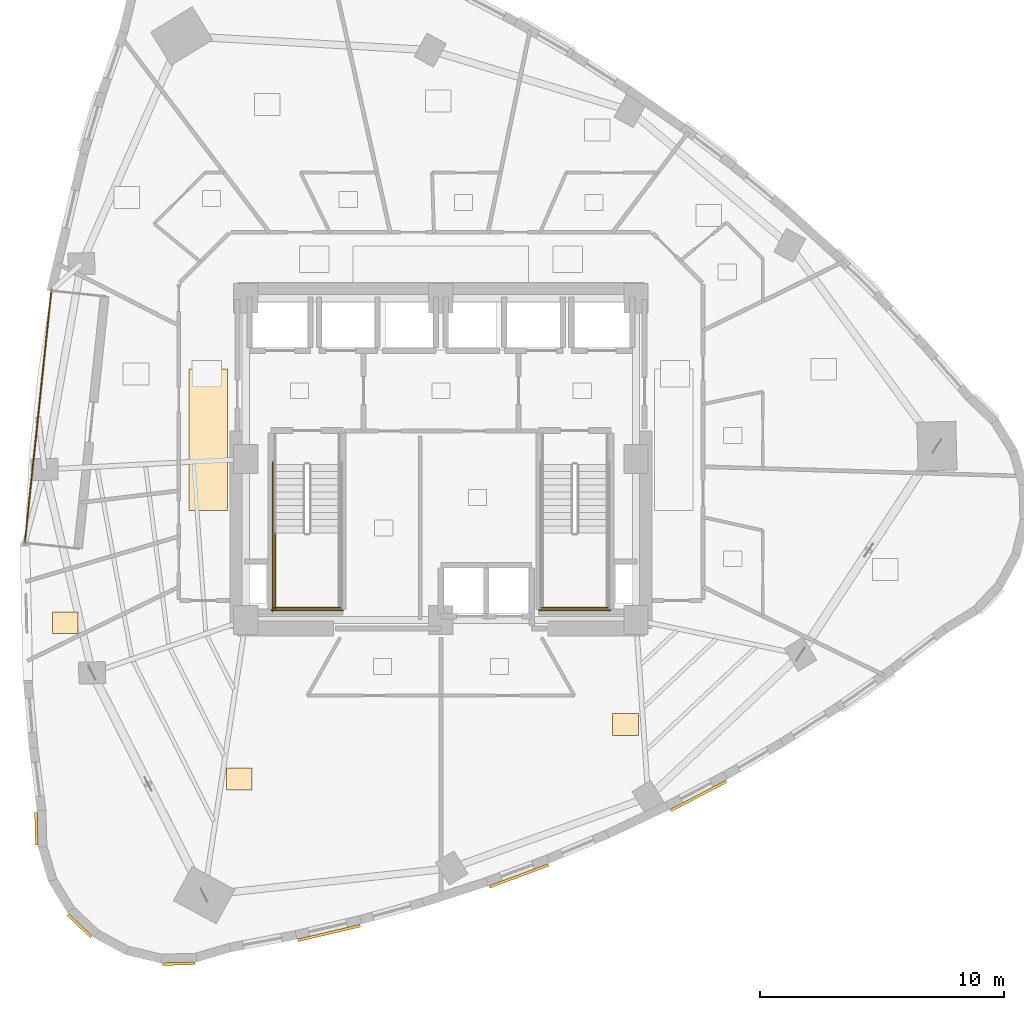
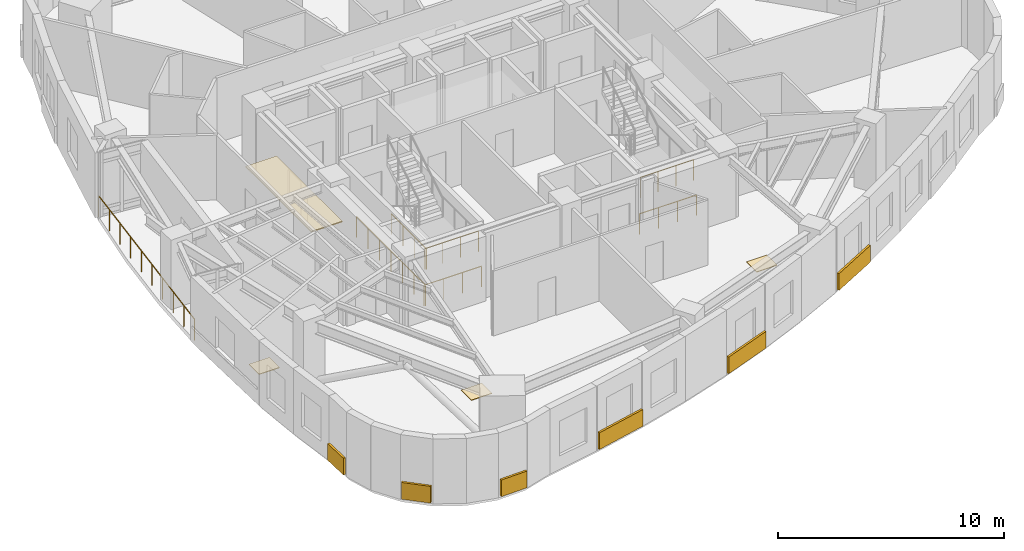
# One storey, part 10 of 12: 10 coverings, 7 railings.
"""IFC4 building model written with IfcOpenShell, lengths in metres."""

from ifc_helpers import new_model, si_unit, direction, frame, origin, origin_2d, place, context, subcontext, project, spatial, rectangle, circle, extrude, material, layer, layer_set, type_object, element, save


model = new_model("IFC4")

# Units and contexts
model_context = context("Model", 3, precision=1e-05, world=origin(), true_north=direction((0.0, 1.0)))
body_context = subcontext(model_context, "Body", "Model", "MODEL_VIEW")
ifc_project = project(units=[si_unit("LENGTHUNIT", "METRE"), si_unit("AREAUNIT", "SQUARE_METRE"), si_unit("VOLUMEUNIT", "CUBIC_METRE"), si_unit("PLANEANGLEUNIT", "RADIAN"), si_unit("MASSUNIT", "GRAM", prefix="KILO")], contexts=[model_context])

# Site, building, storey
site_placement = place(None, origin())
site = spatial("IfcSite", under=ifc_project, at=site_placement, CompositionType="ELEMENT")
building_placement = place(site_placement, origin())
building = spatial("IfcBuilding", under=site, at=building_placement, Name="Ndelora Gate Hotel", CompositionType="ELEMENT")
storey_placement = place(building_placement, frame((0.0, 0.0, 104.75)))
storey = spatial("IfcBuildingStorey", under=building, at=storey_placement, Name="L25", CompositionType="ELEMENT", Elevation=104.75)

# Coverings
ifc_material_1 = material(Name="Perforated Acoustic Gypsum Board", Category="gypsum")
ifc_layer_1 = layer(ifc_material_1, 0.054931640625)
ifc_layer_set_1 = layer_set([ifc_layer_1], Name="Perforated Acoustic Gypsum Board")
covering_type_1 = type_object("IfcCoveringType", Name="COV-CEIL-AC60", PredefinedType="CEILING", material=ifc_layer_set_1)
covering_1_placement = place(storey_placement, frame((-9.550048828125, 0.800048828125, 2.65234375), z_axis=(0.0, 0.0, 1.0), x_axis=(1.0, 0.0, 0.0)))
element("IfcCovering", 1, at=covering_1_placement, inside=storey, type_object=covering_type_1, Name="L25 Guest Corridor Acoustic Ceiling W", PredefinedType="CEILING", context=body_context, shape_type="SweptSolid", body=[
    extrude(rectangle(XDim=1.580078125, YDim=5.800048828125, at=origin_2d()), origin(), (0.0, 0.0, 1.0), 0.054931640625),
])
ifc_material_2 = material(Name="Terracotta Fired Clay Brick Slip Cladding", Category="masonry")
ifc_layer_2 = layer(ifc_material_2, 0.110107421875)
ifc_layer_set_2 = layer_set([ifc_layer_2], Name="Terracotta Fired Clay Brick Slip Cladding")
covering_type_2 = type_object("IfcCoveringType", Name="COV-CLAD-BRK", PredefinedType="CLADDING", material=ifc_layer_set_2)
for number, where, z_axis, x_axis, name in (
    (2, (-16.593994140625, -15.164306640625, 0.10009765625), (0.0, 0.0, 1.0), (-0.026176948308, 0.999657324976, 0.0), "L25 Rounded-Corner Brick Cladding Band 19"),
    (3, (-14.82373046875, -19.140380859375, 0.10009765625), (0.0, 0.0, 1.0), (-0.725374371012, 0.688354575694, 0.0), "L25 Rounded-Corner Brick Cladding Band 22"),
    (4, (-10.7607421875, -20.7001953125, 0.10009765625), (0.0, 0.0, 1.0), (0.999657324976, 0.026176948308, 0.0), "L25 Rounded-Corner Brick Cladding Band 25"),
):
    element("IfcCovering", number, at=place(storey_placement, frame(where, z_axis=z_axis, x_axis=x_axis)), inside=storey, type_object=covering_type_2, Name=name, PredefinedType="CLADDING", context=body_context, shape_type="SweptSolid", body=[
        extrude(rectangle(XDim=1.3359375, YDim=0.110107421875, at=origin_2d()), origin(), (0.0, 0.0, 1.0), 0.89990234375),
    ])
covering_2_placement = place(storey_placement, frame((-4.589111328125, -19.439453125, 0.10009765625), z_axis=(0.0, 0.0, 1.0), x_axis=(0.973698333648, 0.227841074111, 0.0)))
element("IfcCovering", 5, at=covering_2_placement, inside=storey, type_object=covering_type_2, Name="L25 Rounded-Corner Brick Cladding Band 28", PredefinedType="CLADDING", context=body_context, shape_type="SweptSolid", body=[
    extrude(rectangle(XDim=2.6279296875, YDim=0.110107421875, at=origin_2d()), origin(), (0.0, 0.0, 1.0), 0.89990234375),
])
for number, where, z_axis, x_axis, name in (
    (6, (3.19775390625, -17.098388671875, 0.10009765625), (0.0, 0.0, 1.0), (0.937585819058, 0.347753981862, 0.0), "L25 Rounded-Corner Brick Cladding Band 31"),
    (7, (10.56689453125, -13.8173828125, 0.10009765625), (0.0, 0.0, 1.0), (0.88579893978, 0.464069217127, 0.0), "L25 Rounded-Corner Brick Cladding Band 34"),
):
    element("IfcCovering", number, at=place(storey_placement, frame(where, z_axis=z_axis, x_axis=x_axis)), inside=storey, type_object=covering_type_2, Name=name, PredefinedType="CLADDING", context=body_context, shape_type="SweptSolid", body=[
        extrude(rectangle(XDim=2.583984375, YDim=0.110107421875, at=origin_2d()), origin(), (0.0, 0.0, 1.0), 0.89990234375),
    ])
ifc_material_3 = material(Name="Engineered Highland Oak Parquet", Category="wood")
ifc_layer_3 = layer(ifc_material_3, 0.030029296875)
ifc_layer_set_3 = layer_set([ifc_layer_3], Name="Engineered Highland Oak Parquet")
covering_type_3 = type_object("IfcCoveringType", Name="COV-FLR-PARQ", PredefinedType="FLOORING", material=ifc_layer_set_3)
for number, where, z_axis, x_axis, name in (
    (8, (-8.272705078125, -13.125732421875, 0.0), (0.0, 0.0, 1.0), (1.0, 0.0, 0.0), "L25 Club King Corner Suite 2801 Oak Parquet Flooring"),
    (9, (7.570068359375, -10.87744140625, 0.0), (0.0, 0.0, 1.0), (1.0, 0.0, 0.0), "L25 Club Twin Corner Suite 2802 Oak Parquet Flooring"),
    (10, (-15.40478515625, -6.713134765625, 0.0), (0.0, 0.0, 1.0), (1.0, 0.0, 0.0), "L25 Female Public Restroom Oak Parquet Flooring"),
):
    element("IfcCovering", number, at=place(storey_placement, frame(where, z_axis=z_axis, x_axis=x_axis)), inside=storey, type_object=covering_type_3, Name=name, PredefinedType="FLOORING", context=body_context, shape_type="SweptSolid", body=[
        extrude(rectangle(XDim=1.050048828125, YDim=0.89990234375, at=origin_2d()), origin(), (0.0, 0.0, 1.0), 0.030029296875),
    ])

# Railings
ifc_material_4 = material(Name="Laminated Safety Glass and Bronze Top Rail", Category="glass")
ifc_layer_4 = layer(ifc_material_4, 0.070068359375)
ifc_layer_set_4 = layer_set([ifc_layer_4], Name="Laminated Safety Glass and Bronze Top Rail")
railing_type_1 = type_object("IfcRailingType", Name="RL-BAL-1150", PredefinedType="BALUSTRADE", material=ifc_layer_set_4)
railing_1_placement = place(storey_placement, frame((-15.98095703125, 6.908203125, 0.0)))
element("IfcRailing", 11, at=railing_1_placement, inside=storey, type_object=railing_type_1, Name="L25 Sky-Garden Loggia Terrace Balustrade", PredefinedType="BALUSTRADE", context=body_context, shape_type="SweptSolid", body=[
    extrude(circle(Radius=0.02392578125, at=origin_2d()), frame((0.0, 0.0, 1.1357421875), z_axis=(-0.104534478571, -0.994521263116, 0.0), x_axis=(0.994521263116, -0.104534478571, 0.0)), (0.0, 0.0, 1.0), 10.39990234375),
    extrude(circle(Radius=0.02099609375, at=origin_2d()), origin(), (0.0, 0.0, 1.0), 1.11181640625),
    extrude(circle(Radius=0.02099609375, at=origin_2d()), frame((-0.120849609375, -1.149169921875, 0.0)), (0.0, 0.0, 1.0), 1.11181640625),
    extrude(circle(Radius=0.02099609375, at=origin_2d()), frame((-0.24169921875, -2.29833984375, 0.0)), (0.0, 0.0, 1.0), 1.11181640625),
    extrude(circle(Radius=0.02099609375, at=origin_2d()), frame((-0.3623046875, -3.44775390625, 0.0)), (0.0, 0.0, 1.0), 1.11181640625),
    extrude(circle(Radius=0.02099609375, at=origin_2d()), frame((-0.483154296875, -4.596923828125, 0.0)), (0.0, 0.0, 1.0), 1.11181640625),
    extrude(circle(Radius=0.02099609375, at=origin_2d()), frame((-0.60400390625, -5.74609375, 0.0)), (0.0, 0.0, 1.0), 1.11181640625),
    extrude(circle(Radius=0.02099609375, at=origin_2d()), frame((-0.724853515625, -6.895263671875, 0.0)), (0.0, 0.0, 1.0), 1.11181640625),
    extrude(circle(Radius=0.02099609375, at=origin_2d()), frame((-0.845458984375, -8.044677734375, 0.0)), (0.0, 0.0, 1.0), 1.11181640625),
    extrude(circle(Radius=0.02099609375, at=origin_2d()), frame((-0.96630859375, -9.19384765625, 0.0)), (0.0, 0.0, 1.0), 1.11181640625),
    extrude(circle(Radius=0.02099609375, at=origin_2d()), frame((-1.087158203125, -10.343017578125, 0.0)), (0.0, 0.0, 1.0), 1.11181640625),
])
ifc_material_5 = material(Name="Painted Galvanized Steel Balustrade", Category="steel")
ifc_layer_5 = layer(ifc_material_5, 0.06005859375)
ifc_layer_set_5 = layer_set([ifc_layer_5], Name="Painted Galvanized Steel Balustrade")
railing_type_2 = type_object("IfcRailingType", Name="RL-STAIR-GD", PredefinedType="GUARDRAIL", material=ifc_layer_set_5)
railing_2_placement = place(storey_placement, frame((-6.800048828125, -3.030029296875, 1.875)))
element("IfcRailing", 12, at=railing_2_placement, inside=storey, type_object=railing_type_2, Name="L25 ST4 stair guard 3", PredefinedType="GUARDRAIL", context=body_context, shape_type="SweptSolid", body=[
    extrude(circle(Radius=0.02392578125, at=origin_2d()), frame((0.0, 0.0, 1.10595703125), z_axis=(0.0, -1.0, 0.0), x_axis=(1.0, 0.0, 0.0)), (0.0, 0.0, 1.0), 3.119873046875),
    extrude(circle(Radius=0.02099609375, at=origin_2d()), origin(), (0.0, 0.0, 1.0), 1.081787109375),
    extrude(circle(Radius=0.02099609375, at=origin_2d()), frame((0.0, -1.0400390625, 0.0)), (0.0, 0.0, 1.0), 1.081787109375),
    extrude(circle(Radius=0.02099609375, at=origin_2d()), frame((0.0, -2.079833984375, 0.0)), (0.0, 0.0, 1.0), 1.081787109375),
    extrude(circle(Radius=0.02099609375, at=origin_2d()), frame((0.0, -3.119873046875, 0.0)), (0.0, 0.0, 1.0), 1.081787109375),
])
railing_3_placement = place(storey_placement, frame((-6.85009765625, -6.10009765625, 1.875)))
element("IfcRailing", 13, at=railing_3_placement, inside=storey, type_object=railing_type_2, Name="L25 ST4 stair guard 5", PredefinedType="GUARDRAIL", context=body_context, shape_type="SweptSolid", body=[
    extrude(circle(Radius=0.02392578125, at=origin_2d()), frame((0.0, 0.0, 1.10595703125), z_axis=(1.0, 0.0, 0.0), x_axis=(0.0, 1.0, 0.0)), (0.0, 0.0, 1.0), 2.72021484375),
    extrude(circle(Radius=0.02099609375, at=origin_2d()), origin(), (0.0, 0.0, 1.0), 1.081787109375),
    extrude(circle(Radius=0.02099609375, at=origin_2d()), frame((0.90673828125, 0.0, 0.0)), (0.0, 0.0, 1.0), 1.081787109375),
    extrude(circle(Radius=0.02099609375, at=origin_2d()), frame((1.8134765625, 0.0, 0.0)), (0.0, 0.0, 1.0), 1.081787109375),
    extrude(circle(Radius=0.02099609375, at=origin_2d()), frame((2.72021484375, 0.0, 0.0)), (0.0, 0.0, 1.0), 1.081787109375),
])
railing_4_placement = place(storey_placement, frame((-6.89990234375, -0.1298828125, 0.0)))
element("IfcRailing", 14, at=railing_4_placement, inside=storey, type_object=railing_type_2, Name="L25 ST4 stair guard 10", PredefinedType="GUARDRAIL", context=body_context, shape_type="SweptSolid", body=[
    extrude(circle(Radius=0.02392578125, at=origin_2d()), frame((0.0, 0.0, 1.10595703125), z_axis=(0.0, -1.0, 0.0), x_axis=(1.0, 0.0, 0.0)), (0.0, 0.0, 1.0), 6.1201171875),
    extrude(circle(Radius=0.02099609375, at=origin_2d()), origin(), (0.0, 0.0, 1.0), 1.081787109375),
    extrude(circle(Radius=0.02099609375, at=origin_2d()), frame((0.0, -1.02001953125, 0.0)), (0.0, 0.0, 1.0), 1.081787109375),
    extrude(circle(Radius=0.02099609375, at=origin_2d()), frame((0.0, -2.0400390625, 0.0)), (0.0, 0.0, 1.0), 1.081787109375),
    extrude(circle(Radius=0.02099609375, at=origin_2d()), frame((0.0, -3.06005859375, 0.0)), (0.0, 0.0, 1.0), 1.081787109375),
    extrude(circle(Radius=0.02099609375, at=origin_2d()), frame((0.0, -4.080078125, 0.0)), (0.0, 0.0, 1.0), 1.081787109375),
    extrude(circle(Radius=0.02099609375, at=origin_2d()), frame((0.0, -5.10009765625, 0.0)), (0.0, 0.0, 1.0), 1.081787109375),
    extrude(circle(Radius=0.02099609375, at=origin_2d()), frame((0.0, -6.1201171875, 0.0)), (0.0, 0.0, 1.0), 1.081787109375),
])
railing_5_placement = place(storey_placement, frame((-6.949951171875, -6.199951171875, 0.0)))
element("IfcRailing", 15, at=railing_5_placement, inside=storey, type_object=railing_type_2, Name="L25 ST4 stair guard 12", PredefinedType="GUARDRAIL", context=body_context, shape_type="SweptSolid", body=[
    extrude(circle(Radius=0.02392578125, at=origin_2d()), frame((0.0, 0.0, 1.10595703125), z_axis=(1.0, 0.0, 0.0), x_axis=(0.0, 1.0, 0.0)), (0.0, 0.0, 1.0), 2.919921875),
    extrude(circle(Radius=0.02099609375, at=origin_2d()), origin(), (0.0, 0.0, 1.0), 1.081787109375),
    extrude(circle(Radius=0.02099609375, at=origin_2d()), frame((0.973388671875, 0.0, 0.0)), (0.0, 0.0, 1.0), 1.081787109375),
    extrude(circle(Radius=0.02099609375, at=origin_2d()), frame((1.946533203125, 0.0, 0.0)), (0.0, 0.0, 1.0), 1.081787109375),
    extrude(circle(Radius=0.02099609375, at=origin_2d()), frame((2.919921875, 0.0, 0.0)), (0.0, 0.0, 1.0), 1.081787109375),
])
railing_6_placement = place(storey_placement, frame((4.1298828125, -6.10009765625, 1.875)))
element("IfcRailing", 16, at=railing_6_placement, inside=storey, type_object=railing_type_2, Name="L25 ST5 stair guard 5", PredefinedType="GUARDRAIL", context=body_context, shape_type="SweptSolid", body=[
    extrude(circle(Radius=0.02392578125, at=origin_2d()), frame((0.0, 0.0, 1.10595703125), z_axis=(1.0, 0.0, 0.0), x_axis=(0.0, 1.0, 0.0)), (0.0, 0.0, 1.0), 2.72021484375),
    extrude(circle(Radius=0.02099609375, at=origin_2d()), origin(), (0.0, 0.0, 1.0), 1.081787109375),
    extrude(circle(Radius=0.02099609375, at=origin_2d()), frame((0.90673828125, 0.0, 0.0)), (0.0, 0.0, 1.0), 1.081787109375),
    extrude(circle(Radius=0.02099609375, at=origin_2d()), frame((1.8134765625, 0.0, 0.0)), (0.0, 0.0, 1.0), 1.081787109375),
    extrude(circle(Radius=0.02099609375, at=origin_2d()), frame((2.72021484375, 0.0, 0.0)), (0.0, 0.0, 1.0), 1.081787109375),
])
railing_7_placement = place(storey_placement, frame((4.030029296875, -6.199951171875, 0.0)))
element("IfcRailing", 17, at=railing_7_placement, inside=storey, type_object=railing_type_2, Name="L25 ST5 stair guard 12", PredefinedType="GUARDRAIL", context=body_context, shape_type="SweptSolid", body=[
    extrude(circle(Radius=0.02392578125, at=origin_2d()), frame((0.0, 0.0, 1.10595703125), z_axis=(1.0, 0.0, 0.0), x_axis=(0.0, 1.0, 0.0)), (0.0, 0.0, 1.0), 2.919921875),
    extrude(circle(Radius=0.02099609375, at=origin_2d()), origin(), (0.0, 0.0, 1.0), 1.081787109375),
    extrude(circle(Radius=0.02099609375, at=origin_2d()), frame((0.973388671875, 0.0, 0.0)), (0.0, 0.0, 1.0), 1.081787109375),
    extrude(circle(Radius=0.02099609375, at=origin_2d()), frame((1.946533203125, 0.0, 0.0)), (0.0, 0.0, 1.0), 1.081787109375),
    extrude(circle(Radius=0.02099609375, at=origin_2d()), frame((2.919921875, 0.0, 0.0)), (0.0, 0.0, 1.0), 1.081787109375),
])

save(model, "model.ifc")
